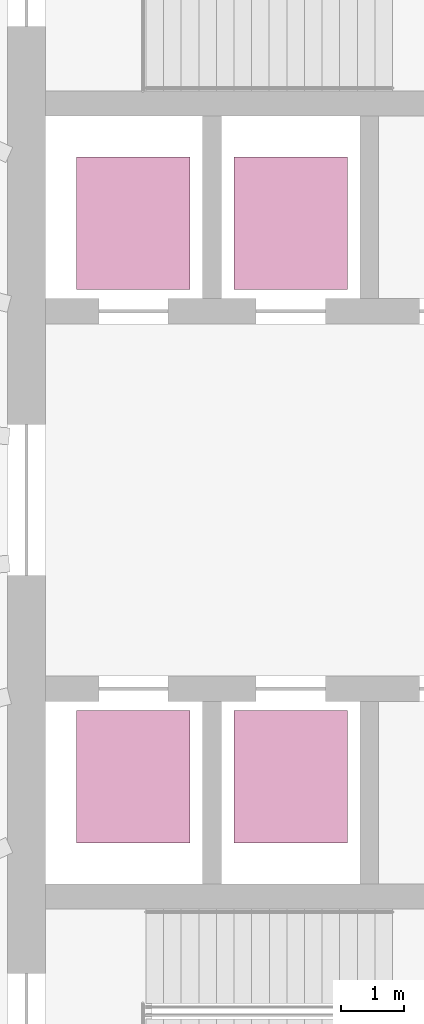
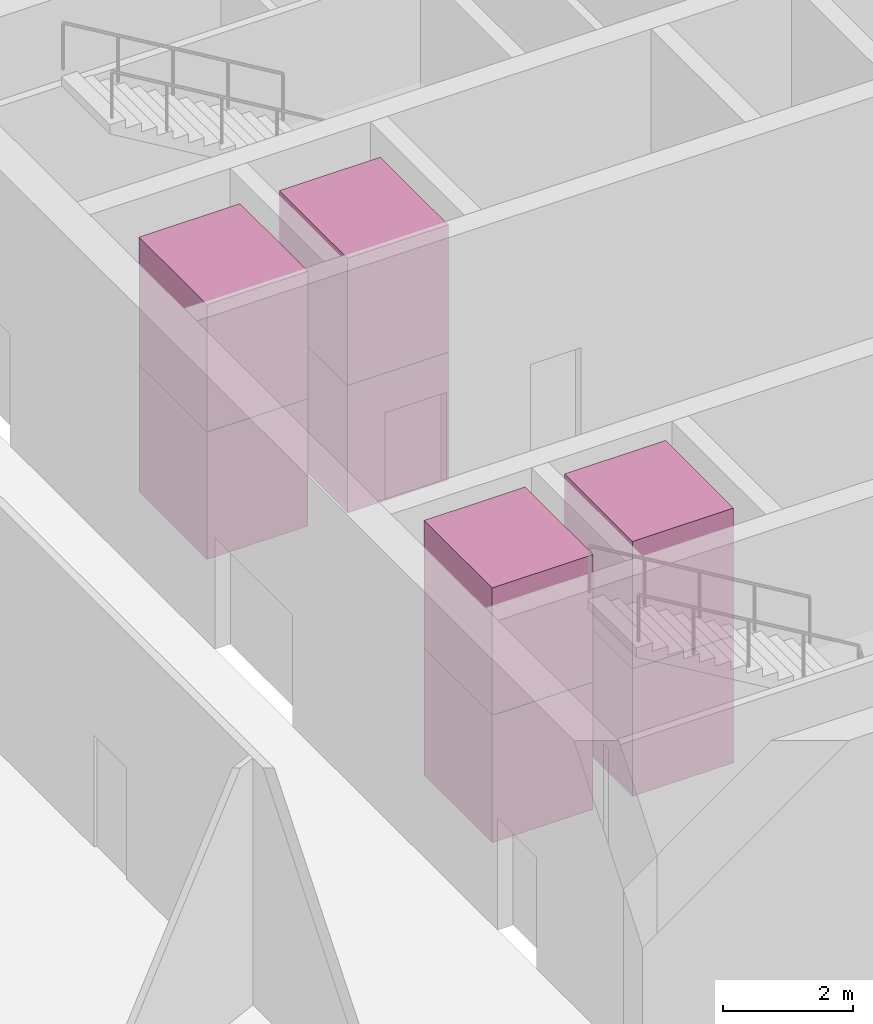
# One storey, part 16 of 16: 8 transport elements.
"""IFC4 building model written with IfcOpenShell, lengths in metres."""

from ifc_helpers import new_model, si_unit, direction, frame, origin, origin_2d, place, context, subcontext, project, spatial, rectangle, extrude, material, type_object, element, save


model = new_model("IFC4")

# Units and contexts
model_context = context("Model", 3, precision=1e-05, world=origin(), true_north=direction((0.0, 1.0)))
body_context = subcontext(model_context, "Body", "Model", "MODEL_VIEW")
ifc_project = project(units=[si_unit("LENGTHUNIT", "METRE"), si_unit("AREAUNIT", "SQUARE_METRE"), si_unit("VOLUMEUNIT", "CUBIC_METRE"), si_unit("PLANEANGLEUNIT", "RADIAN"), si_unit("MASSUNIT", "GRAM", prefix="KILO")], contexts=[model_context])

# Site, building, storey
site_placement = place(None, origin())
site = spatial("IfcSite", under=ifc_project, at=site_placement, CompositionType="ELEMENT")
building_placement = place(site_placement, origin())
building = spatial("IfcBuilding", under=site, at=building_placement, Name="Halqa Exchange Tower", CompositionType="ELEMENT")
storey_placement = place(building_placement, frame((0.0, 0.0, 333.300048828125)))
storey = spatial("IfcBuildingStorey", under=building, at=storey_placement, Name="L78", CompositionType="ELEMENT", Elevation=333.300048828125)

# Transport elements
ifc_material = material(Name="Stainless steel", Category="steel")
transport_element_type = type_object("IfcTransportElementType", Name="High-rise passenger lift 1800 x 2100", PredefinedType="ELEVATOR", material=ifc_material)
for number, where, z_axis, x_axis, name in (
    (1, (-10.0, 4.39990234375, 0.0), (0.0, 0.0, 1.0), (1.0, 0.0, 0.0), "High-rise passenger lift HR1"),
    (2, (-10.0, 4.39990234375, 2.39990234375), (0.0, 0.0, 1.0), (1.0, 0.0, 0.0), "High-rise passenger lift HR1"),
    (3, (-7.5, 4.39990234375, 0.0), (0.0, 0.0, 1.0), (1.0, 0.0, 0.0), "High-rise passenger lift HR2"),
    (4, (-7.5, 4.39990234375, 2.39990234375), (0.0, 0.0, 1.0), (1.0, 0.0, 0.0), "High-rise passenger lift HR2"),
    (5, (-10.0, -4.39990234375, 0.0), (0.0, 0.0, 1.0), (1.0, 0.0, 0.0), "High-rise passenger lift HR3"),
    (6, (-10.0, -4.39990234375, 2.39990234375), (0.0, 0.0, 1.0), (1.0, 0.0, 0.0), "High-rise passenger lift HR3"),
    (7, (-7.5, -4.39990234375, 0.0), (0.0, 0.0, 1.0), (1.0, 0.0, 0.0), "High-rise passenger lift HR4"),
    (8, (-7.5, -4.39990234375, 2.39990234375), (0.0, 0.0, 1.0), (1.0, 0.0, 0.0), "High-rise passenger lift HR4"),
):
    element("IfcTransportElement", number, at=place(storey_placement, frame(where, z_axis=z_axis, x_axis=x_axis)), inside=storey, type_object=transport_element_type, Name=name, PredefinedType="ELEVATOR", context=body_context, shape_type="SweptSolid", body=[
        extrude(rectangle(XDim=1.800048828125, YDim=2.10009765625, at=origin_2d()), origin(), (0.0, 0.0, 1.0), 2.39990234375),
    ])

save(model, "model.ifc")
